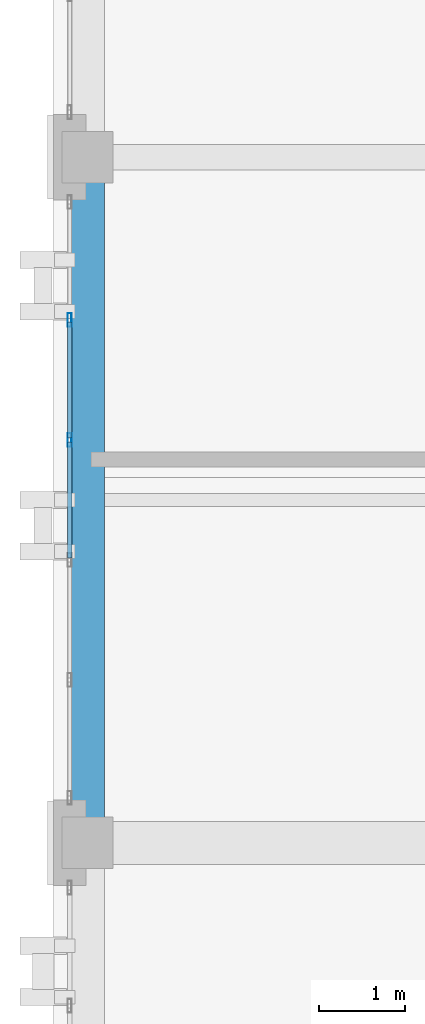
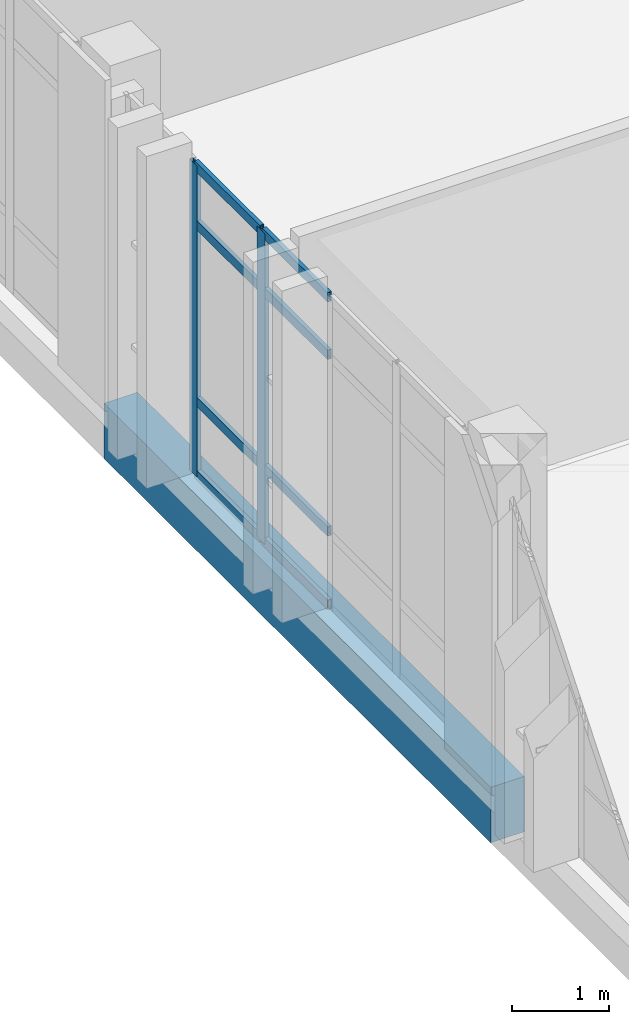
# One storey, part 10 of 90: 10 members, 1 beam, 1 element without a shape of its own.
"""IFC4 building model written with IfcOpenShell, lengths in metres."""

from ifc_helpers import new_model, si_unit, direction, frame, origin, origin_2d, place, context, subcontext, project, spatial, rectangle, hollow_rectangle, extrude, material, layer, layer_set, material_profile, profile_set, type_object, element, aggregate, save


model = new_model("IFC4")

# Units and contexts
model_context = context("Model", 3, precision=1e-05, world=origin(), true_north=direction((0.0, 1.0)))
body_context = subcontext(model_context, "Body", "Model", "MODEL_VIEW")
ifc_project = project(units=[si_unit("LENGTHUNIT", "METRE"), si_unit("AREAUNIT", "SQUARE_METRE"), si_unit("VOLUMEUNIT", "CUBIC_METRE"), si_unit("PLANEANGLEUNIT", "RADIAN"), si_unit("MASSUNIT", "GRAM", prefix="KILO")], contexts=[model_context])

# Site, building, storey
site_placement = place(None, origin())
site = spatial("IfcSite", under=ifc_project, at=site_placement, CompositionType="ELEMENT")
building_placement = place(site_placement, origin())
building = spatial("IfcBuilding", under=site, at=building_placement, Name="Qalavern Law Courts", CompositionType="ELEMENT")
storey_placement = place(building_placement, frame((0.0, 0.0, 22.800048828125)))
storey = spatial("IfcBuildingStorey", under=building, at=storey_placement, Name="L05", CompositionType="ELEMENT", Elevation=22.800048828125)

# Curtain wall, members
ifc_material_1 = material(Name="Anodised aluminium and insulated glazing", Category="aluminium")
ifc_layer = layer(ifc_material_1, 0.159912109375)
ifc_layer_set = layer_set([ifc_layer], Name="Anodised aluminium and insulated glazing")
curtain_wall_type = type_object("IfcCurtainWallType", Name="ENV-CW-CHAMB", PredefinedType="USERDEFINED", material=ifc_layer_set)
curtain_wall_placement = place(storey_placement, origin())
curtain_wall = element("IfcCurtainWall", 1, at=curtain_wall_placement, inside=storey, type_object=curtain_wall_type, Name="V3 unitised curtain wall L05 west 5", ObjectType="UNITISED CURTAIN WALL", PredefinedType="USERDEFINED")
ifc_material_2 = material(Name="Anodised aluminium", Category="aluminium")
ifc_material_profile_1 = material_profile(ifc_material_2, hollow_rectangle(XDim=0.048095703125, YDim=0.159912109375, WallThickness=0.00390625, at=origin_2d()), Name="ALU MULLION 48x160")
ifc_profile_set_1 = profile_set([ifc_material_profile_1], Name="Anodised aluminium")
member_type_1 = type_object("IfcMemberType", Name="ENV-CWM-48x160", PredefinedType="MULLION", material=ifc_profile_set_1)
member_1_placement = place(storey_placement, frame((2.1923828125, 63.5, 0.0), z_axis=(0.0, 0.0, 1.0), x_axis=(1.0, 0.0, 0.0)))
member_1 = element("IfcMember", 2, at=member_1_placement, type_object=member_type_1, Name="CW-04 mullion 2", PredefinedType="MULLION", context=body_context, shape_type="SweptSolid", body=[
    extrude(hollow_rectangle(XDim=0.048095703125, YDim=0.159912109375, WallThickness=0.00390625, at=origin_2d()), origin(), (0.0, 0.0, 1.0), 3.929931640625),
])
member_2_placement = place(storey_placement, frame((2.1923828125, 62.10009765625, 0.0), z_axis=(0.0, 0.0, 1.0), x_axis=(1.0, 0.0, 0.0)))
member_2 = element("IfcMember", 3, at=member_2_placement, type_object=member_type_1, Name="CW-04 mullion 3", PredefinedType="MULLION", context=body_context, shape_type="SweptSolid", body=[
    extrude(hollow_rectangle(XDim=0.048095703125, YDim=0.159912109375, WallThickness=0.00390625, at=origin_2d()), origin(), (0.0, 0.0, 1.0), 3.929931640625),
])
ifc_material_profile_2 = material_profile(ifc_material_2, hollow_rectangle(XDim=0.048095703125, YDim=0.1201171875, WallThickness=0.00390625, at=origin_2d()), Name="ALU TRANSOM 48x120")
ifc_profile_set_2 = profile_set([ifc_material_profile_2], Name="Anodised aluminium")
member_type_2 = type_object("IfcMemberType", Name="ENV-CWT-48x120", PredefinedType="USERDEFINED", material=ifc_profile_set_2)
member_3_placement = place(storey_placement, frame((2.1923828125, 63.47607421875, 0.02392578125), z_axis=(0.0, -1.0, 0.0), x_axis=(1.0, 0.0, 0.0)))
member_3 = element("IfcMember", 4, at=member_3_placement, type_object=member_type_2, Name="CW-04 transom 2.1", ObjectType="TRANSOM", PredefinedType="USERDEFINED", context=body_context, shape_type="SweptSolid", body=[
    extrude(hollow_rectangle(XDim=0.048095703125, YDim=0.1201171875, WallThickness=0.00390625, at=origin_2d()), origin(), (0.0, 0.0, 1.0), 1.35205078125),
])
member_4_placement = place(storey_placement, frame((2.1923828125, 63.47607421875, 0.949951171875), z_axis=(0.0, -1.0, 0.0), x_axis=(1.0, 0.0, 0.0)))
member_4 = element("IfcMember", 5, at=member_4_placement, type_object=member_type_2, Name="CW-04 transom 2.2", ObjectType="TRANSOM", PredefinedType="USERDEFINED", context=body_context, shape_type="SweptSolid", body=[
    extrude(hollow_rectangle(XDim=0.048095703125, YDim=0.1201171875, WallThickness=0.00390625, at=origin_2d()), origin(), (0.0, 0.0, 1.0), 1.35205078125),
])
member_5_placement = place(storey_placement, frame((2.1923828125, 63.47607421875, 3.179931640625), z_axis=(0.0, -1.0, 0.0), x_axis=(1.0, 0.0, 0.0)))
member_5 = element("IfcMember", 6, at=member_5_placement, type_object=member_type_2, Name="CW-04 transom 2.3", ObjectType="TRANSOM", PredefinedType="USERDEFINED", context=body_context, shape_type="SweptSolid", body=[
    extrude(hollow_rectangle(XDim=0.048095703125, YDim=0.1201171875, WallThickness=0.00390625, at=origin_2d()), origin(), (0.0, 0.0, 1.0), 1.35205078125),
])
member_6_placement = place(storey_placement, frame((2.1923828125, 63.47607421875, 3.906005859375), z_axis=(0.0, -1.0, 0.0), x_axis=(1.0, 0.0, 0.0)))
member_6 = element("IfcMember", 7, at=member_6_placement, type_object=member_type_2, Name="CW-04 transom 2.4", ObjectType="TRANSOM", PredefinedType="USERDEFINED", context=body_context, shape_type="SweptSolid", body=[
    extrude(hollow_rectangle(XDim=0.048095703125, YDim=0.1201171875, WallThickness=0.00390625, at=origin_2d()), origin(), (0.0, 0.0, 1.0), 1.35205078125),
])
member_7_placement = place(storey_placement, frame((2.1923828125, 62.075927734375, 0.02392578125), z_axis=(0.0, -1.0, 0.0), x_axis=(1.0, 0.0, 0.0)))
member_7 = element("IfcMember", 8, at=member_7_placement, type_object=member_type_2, Name="CW-04 transom 3.1", ObjectType="TRANSOM", PredefinedType="USERDEFINED", context=body_context, shape_type="SweptSolid", body=[
    extrude(hollow_rectangle(XDim=0.048095703125, YDim=0.1201171875, WallThickness=0.00390625, at=origin_2d()), origin(), (0.0, 0.0, 1.0), 1.351806640625),
])
member_8_placement = place(storey_placement, frame((2.1923828125, 62.075927734375, 0.949951171875), z_axis=(0.0, -1.0, 0.0), x_axis=(1.0, 0.0, 0.0)))
member_8 = element("IfcMember", 9, at=member_8_placement, type_object=member_type_2, Name="CW-04 transom 3.2", ObjectType="TRANSOM", PredefinedType="USERDEFINED", context=body_context, shape_type="SweptSolid", body=[
    extrude(hollow_rectangle(XDim=0.048095703125, YDim=0.1201171875, WallThickness=0.00390625, at=origin_2d()), origin(), (0.0, 0.0, 1.0), 1.351806640625),
])
member_9_placement = place(storey_placement, frame((2.1923828125, 62.075927734375, 3.179931640625), z_axis=(0.0, -1.0, 0.0), x_axis=(1.0, 0.0, 0.0)))
member_9 = element("IfcMember", 10, at=member_9_placement, type_object=member_type_2, Name="CW-04 transom 3.3", ObjectType="TRANSOM", PredefinedType="USERDEFINED", context=body_context, shape_type="SweptSolid", body=[
    extrude(hollow_rectangle(XDim=0.048095703125, YDim=0.1201171875, WallThickness=0.00390625, at=origin_2d()), origin(), (0.0, 0.0, 1.0), 1.351806640625),
])
member_10_placement = place(storey_placement, frame((2.1923828125, 62.075927734375, 3.906005859375), z_axis=(0.0, -1.0, 0.0), x_axis=(1.0, 0.0, 0.0)))
member_10 = element("IfcMember", 11, at=member_10_placement, type_object=member_type_2, Name="CW-04 transom 3.4", ObjectType="TRANSOM", PredefinedType="USERDEFINED", context=body_context, shape_type="SweptSolid", body=[
    extrude(hollow_rectangle(XDim=0.048095703125, YDim=0.1201171875, WallThickness=0.00390625, at=origin_2d()), origin(), (0.0, 0.0, 1.0), 1.351806640625),
])
aggregate(curtain_wall, [member_1, member_2, member_3, member_4, member_5, member_6, member_7, member_8, member_9, member_10])

# Beam
ifc_material_3 = material(Name="Concrete C40/50", Category="concrete")
ifc_material_profile_3 = material_profile(ifc_material_3, rectangle(XDim=0.39990234375, YDim=0.699951171875, at=origin_2d()), Name="RC 400x700")
ifc_profile_set_3 = profile_set([ifc_material_profile_3], Name="Concrete C40/50")
beam_type = type_object("IfcBeamType", Name="STR-SP-RC400x700", PredefinedType="SPANDREL", material=ifc_profile_set_3)
beam_placement = place(storey_placement, frame((2.39990234375, 57.39990234375, -0.625), z_axis=(0.0, 1.0, 0.0), x_axis=(-1.0, 0.0, 0.0)))
element("IfcBeam", 12, at=beam_placement, inside=storey, type_object=beam_type, Name="V3 Y-beam 1-3 L05", PredefinedType="SPANDREL", context=body_context, shape_type="SweptSolid", body=[
    extrude(rectangle(XDim=0.39990234375, YDim=0.699951171875, at=origin_2d()), origin(), (0.0, 0.0, 1.0), 8.0),
])

save(model, "model.ifc")
